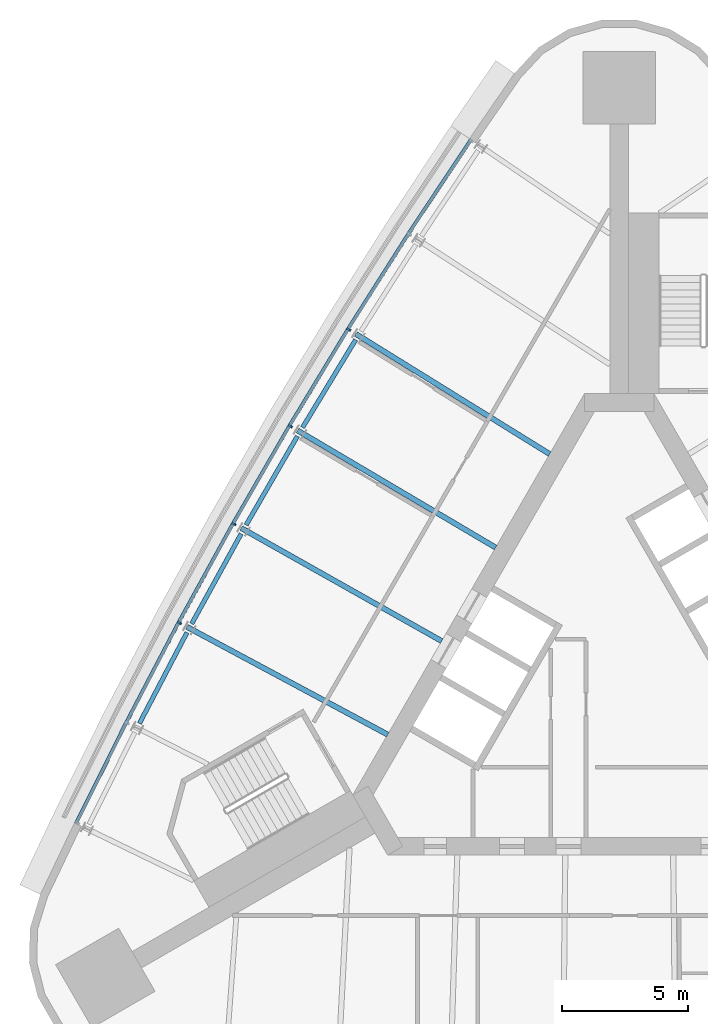
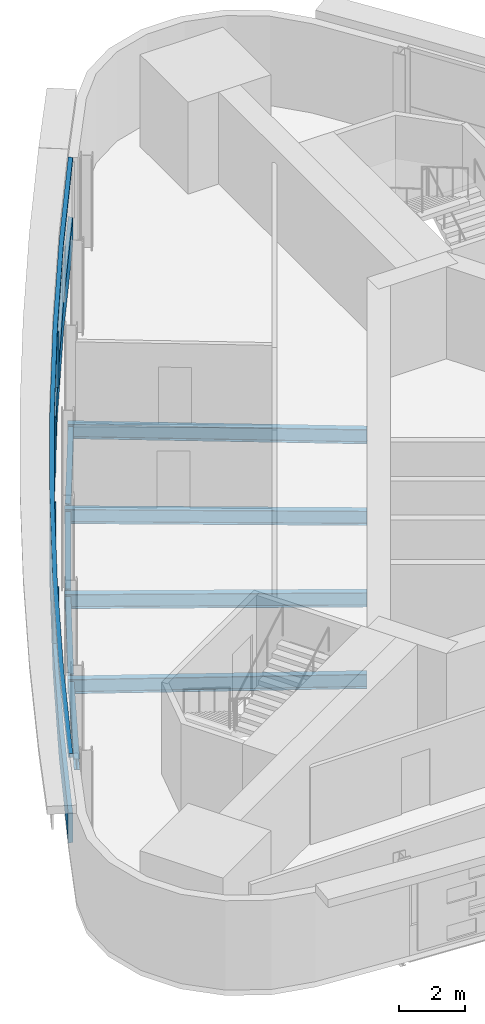
# One storey, part 4 of 12: 8 beams, 6 members, 1 element without a shape of its own.
"""IFC4 building model written with IfcOpenShell, lengths in metres."""

from ifc_helpers import new_model, si_unit, direction, frame, origin, origin_2d, place, context, subcontext, project, spatial, polyline, rectangle, i_section, outline, extrude, material, material_profile, profile_set, type_object, element, aggregate, save


model = new_model("IFC4")

# Units and contexts
model_context = context("Model", 3, precision=1e-05, world=origin(), true_north=direction((0.0, 1.0)))
body_context = subcontext(model_context, "Body", "Model", "MODEL_VIEW")
ifc_project = project(units=[si_unit("LENGTHUNIT", "METRE"), si_unit("AREAUNIT", "SQUARE_METRE"), si_unit("VOLUMEUNIT", "CUBIC_METRE"), si_unit("PLANEANGLEUNIT", "RADIAN"), si_unit("MASSUNIT", "GRAM", prefix="KILO")], contexts=[model_context])

# Site, building, storey
site_placement = place(None, origin())
site = spatial("IfcSite", under=ifc_project, at=site_placement, CompositionType="ELEMENT")
building_placement = place(site_placement, origin())
building = spatial("IfcBuilding", under=site, at=building_placement, Name="Noor Cloister Tower", CompositionType="ELEMENT")
storey_placement = place(building_placement, frame((0.0, 0.0, 154.5)))
storey = spatial("IfcBuildingStorey", under=building, at=storey_placement, Name="L39", CompositionType="ELEMENT", Elevation=154.5)

# Curtain wall, members
ifc_material_1 = material(Name="Aluminium 6063-T6 anodised", Category="aluminium")
curtain_wall_type = type_object("IfcCurtainWallType", Name="Ribbon curtain wall, upper tower CW5", PredefinedType="NOTDEFINED", material=ifc_material_1)
curtain_wall_placement = place(storey_placement, origin())
curtain_wall = element("IfcCurtainWall", 1, at=curtain_wall_placement, inside=storey, type_object=curtain_wall_type, Name="CW5 L39 NW run 1", PredefinedType="NOTDEFINED")
ifc_material_2 = material(Name="Aluminium 6063-T6 anodised", Category="aluminium")
member_type_1 = type_object("IfcMemberType", Name="Head transom CW5 150", PredefinedType="USERDEFINED", material=ifc_material_2)
member_1_placement = place(storey_placement, frame((0.0, 0.0, 3.14990234375)))
member_1 = element("IfcMember", 2, at=member_1_placement, type_object=member_type_1, Name="CW5 head transom", ObjectType="TRANSOM", PredefinedType="USERDEFINED", context=body_context, shape_type="SweptSolid", body=[
    extrude(outline(polyline([(-5.967529296875, 21.615966796875), (-8.455322265625, 17.8662109375), (-10.864990234375, 14.06591796875), (-13.195068359375, 10.21630859375), (-15.445068359375, 6.3193359375), (-17.61376953125, 2.37646484375), (-19.700439453125, -1.610595703125), (-21.703857421875, -5.639892578125), (-21.578369140625, -5.7021484375), (-19.57568359375, -1.674072265625), (-17.490478515625, 2.310302734375), (-15.3232421875, 6.25048828125), (-13.07470703125, 10.14501953125), (-10.745849609375, 13.9921875), (-8.337890625, 17.7900390625), (-5.850830078125, 21.53857421875), (-5.967529296875, 21.615966796875)])), origin(), (0.0, 0.0, 1.0), 0.150146484375),
])
ifc_material_3 = material(Name="Aluminium 6063-T6 anodised", Category="aluminium")
ifc_material_profile_1 = material_profile(ifc_material_3, rectangle(XDim=0.179931640625, YDim=0.070068359375, at=origin_2d()), Name="180 x 70 mullion")
ifc_profile_set_1 = profile_set([ifc_material_profile_1], Name="Aluminium 6063-T6 anodised")
member_type_2 = type_object("IfcMemberType", Name="Mullion CW5 70 x 180", PredefinedType="MULLION", material=ifc_profile_set_1)
member_2_placement = place(storey_placement, frame((-10.780029296875, 14.01318359375, 1.10009765625), z_axis=(0.0, 0.0, 1.0), x_axis=(0.850062776899, -0.526681379328, 0.0)))
member_2 = element("IfcMember", 3, at=member_2_placement, type_object=member_type_2, Name="CW5 mullion 3", PredefinedType="MULLION", context=body_context, shape_type="SweptSolid", body=[
    extrude(rectangle(XDim=0.179931640625, YDim=0.070068359375, at=origin_2d()), origin(), (0.0, 0.0, 1.0), 2.0498046875),
])
member_3_placement = place(storey_placement, frame((-13.109130859375, 10.165283203125, 1.10009765625), z_axis=(0.0, 0.0, 1.0), x_axis=(0.86079680353, -0.508948782327, 0.0)))
member_3 = element("IfcMember", 4, at=member_3_placement, type_object=member_type_2, Name="CW5 mullion 4", PredefinedType="MULLION", context=body_context, shape_type="SweptSolid", body=[
    extrude(rectangle(XDim=0.179931640625, YDim=0.070068359375, at=origin_2d()), origin(), (0.0, 0.0, 1.0), 2.0498046875),
])
member_4_placement = place(storey_placement, frame((-15.35791015625, 6.27001953125, 1.10009765625), z_axis=(0.0, 0.0, 1.0), x_axis=(0.871160976485, -0.49099750819, 0.0)))
member_4 = element("IfcMember", 5, at=member_4_placement, type_object=member_type_2, Name="CW5 mullion 5", PredefinedType="MULLION", context=body_context, shape_type="SweptSolid", body=[
    extrude(rectangle(XDim=0.179931640625, YDim=0.070068359375, at=origin_2d()), origin(), (0.0, 0.0, 1.0), 2.0498046875),
])
member_5_placement = place(storey_placement, frame((-17.525634765625, 2.3291015625, 1.10009765625), z_axis=(0.0, 0.0, 1.0), x_axis=(0.881150842648, -0.472835269942, 0.0)))
member_5 = element("IfcMember", 6, at=member_5_placement, type_object=member_type_2, Name="CW5 mullion 6", PredefinedType="MULLION", context=body_context, shape_type="SweptSolid", body=[
    extrude(rectangle(XDim=0.179931640625, YDim=0.070068359375, at=origin_2d()), origin(), (0.0, 0.0, 1.0), 2.0498046875),
])

# Beams
ifc_material_4 = material(Name="Steel ASTM A992 Gr 50", Category="steel")
ifc_material_profile_2 = material_profile(ifc_material_4, i_section(OverallWidth=0.208984375, OverallDepth=0.532958984375, WebThickness=0.01025390625, FlangeThickness=0.015625, FilletRadius=0.0126953125, at=origin_2d()), Name="W530x92")
ifc_profile_set_2 = profile_set([ifc_material_profile_2], Name="Steel ASTM A992 Gr 50")
beam_type_1 = type_object("IfcBeamType", Name="Radial beam W530x92", PredefinedType="BEAM", material=ifc_profile_set_2)
beam_1_placement = place(storey_placement, frame((-10.48828125, 13.83251953125, -0.466552734375), z_axis=(0.850059269974, -0.526687039456, 0.0), x_axis=(0.526687039456, 0.850059269974, 0.0)))
element("IfcBeam", 7, at=beam_1_placement, inside=storey, type_object=beam_type_1, Name="Radial beam NW 03 L39", PredefinedType="BEAM", context=body_context, shape_type="SweptSolid", body=[
    extrude(i_section(OverallWidth=0.208984375, OverallDepth=0.532958984375, WebThickness=0.01025390625, FlangeThickness=0.015625, FilletRadius=0.0126953125, at=origin_2d()), origin(), (0.0, 0.0, 1.0), 9.07568359375),
])
beam_2_placement = place(storey_placement, frame((-12.81396484375, 9.99072265625, -0.466552734375), z_axis=(0.860805589121, -0.508933922763, 0.0), x_axis=(0.508933922763, 0.860805589121, 0.0)))
element("IfcBeam", 8, at=beam_2_placement, inside=storey, type_object=beam_type_1, Name="Radial beam NW 04 L39", PredefinedType="BEAM", context=body_context, shape_type="SweptSolid", body=[
    extrude(i_section(OverallWidth=0.208984375, OverallDepth=0.532958984375, WebThickness=0.01025390625, FlangeThickness=0.015625, FilletRadius=0.0126953125, at=origin_2d()), origin(), (0.0, 0.0, 1.0), 9.164794921875),
])
beam_3_placement = place(storey_placement, frame((-15.059326171875, 6.101806640625, -0.466552734375), z_axis=(0.871159045846, -0.491000933646, 0.0), x_axis=(0.491000933646, 0.871159045846, 0.0)))
element("IfcBeam", 9, at=beam_3_placement, inside=storey, type_object=beam_type_1, Name="Radial beam NW 05 L39", PredefinedType="BEAM", context=body_context, shape_type="SweptSolid", body=[
    extrude(i_section(OverallWidth=0.208984375, OverallDepth=0.532958984375, WebThickness=0.01025390625, FlangeThickness=0.015625, FilletRadius=0.0126953125, at=origin_2d()), origin(), (0.0, 0.0, 1.0), 9.1650390625),
])
beam_4_placement = place(storey_placement, frame((-17.223388671875, 2.1669921875, -0.466552734375), z_axis=(0.881147419795, -0.472841648534, 0.0), x_axis=(0.472841648534, 0.881147419795, 0.0)))
element("IfcBeam", 10, at=beam_4_placement, inside=storey, type_object=beam_type_1, Name="Radial beam NW 06 L39", PredefinedType="BEAM", context=body_context, shape_type="SweptSolid", body=[
    extrude(i_section(OverallWidth=0.208984375, OverallDepth=0.532958984375, WebThickness=0.01025390625, FlangeThickness=0.015625, FilletRadius=0.0126953125, at=origin_2d()), origin(), (0.0, 0.0, 1.0), 9.075439453125),
])

# Member
ifc_material_5 = material(Name="Aluminium 6063-T6 anodised", Category="aluminium")
member_type_3 = type_object("IfcMemberType", Name="Sill transom CW5 1100", PredefinedType="USERDEFINED", material=ifc_material_5)
member_6_placement = place(storey_placement, origin())
member_6 = element("IfcMember", 11, at=member_6_placement, type_object=member_type_3, Name="CW5 sill transom", ObjectType="TRANSOM", PredefinedType="USERDEFINED", context=body_context, shape_type="SweptSolid", body=[
    extrude(outline(polyline([(-5.967529296875, 21.615966796875), (-8.455322265625, 17.8662109375), (-10.864990234375, 14.06591796875), (-13.195068359375, 10.21630859375), (-15.445068359375, 6.3193359375), (-17.61376953125, 2.37646484375), (-19.700439453125, -1.610595703125), (-21.703857421875, -5.639892578125), (-21.578369140625, -5.7021484375), (-19.57568359375, -1.674072265625), (-17.490478515625, 2.310302734375), (-15.3232421875, 6.25048828125), (-13.07470703125, 10.14501953125), (-10.745849609375, 13.9921875), (-8.337890625, 17.7900390625), (-5.850830078125, 21.53857421875), (-5.967529296875, 21.615966796875)])), origin(), (0.0, 0.0, 1.0), 1.10009765625),
])

aggregate(curtain_wall, [member_2, member_3, member_4, member_5, member_6, member_1])

# Beams
ifc_material_6 = material(Name="Steel ASTM A992 Gr 50", Category="steel")
ifc_material_profile_3 = material_profile(ifc_material_6, i_section(OverallWidth=0.177978515625, OverallDepth=0.406005859375, WebThickness=0.0078125, FlangeThickness=0.0126953125, FilletRadius=0.01025390625, at=origin_2d()), Name="W410x60")
ifc_profile_set_3 = profile_set([ifc_material_profile_3], Name="Steel ASTM A992 Gr 50")
beam_type_2 = type_object("IfcBeamType", Name="Spandrel beam W410x60", PredefinedType="SPANDREL", material=ifc_profile_set_3)
for number, where, z_axis, x_axis, name in (
    (12, (-10.500732421875, 13.60546875, -0.403076171875), (-0.517827974797, -0.855484768139, 0.0), (0.855484768139, -0.517827974797, 0.0), "Spandrel beam NW 03 L39"),
    (13, (-12.821533203125, 9.763671875, -0.403076171875), (-0.49997222419, -0.866041439562, 0.0), (0.866041439562, -0.49997222419, 0.0), "Spandrel beam NW 04 L39"),
):
    element("IfcBeam", number, at=place(storey_placement, frame(where, z_axis=z_axis, x_axis=x_axis)), inside=storey, type_object=beam_type_2, Name=name, PredefinedType="SPANDREL", context=body_context, shape_type="SweptSolid", body=[
        extrude(i_section(OverallWidth=0.177978515625, OverallDepth=0.406005859375, WebThickness=0.0078125, FlangeThickness=0.0126953125, FilletRadius=0.01025390625, at=origin_2d()), origin(), (0.0, 0.0, 1.0), 4.089599609375),
    ])
beam_5_placement = place(storey_placement, frame((-15.062255859375, 5.874267578125, -0.403076171875), z_axis=(-0.481902707322, -0.876224731833, 0.0), x_axis=(0.876224731833, -0.481902707322, 0.0)))
element("IfcBeam", 14, at=beam_5_placement, inside=storey, type_object=beam_type_2, Name="Spandrel beam NW 05 L39", PredefinedType="SPANDREL", context=body_context, shape_type="SweptSolid", body=[
    extrude(i_section(OverallWidth=0.177978515625, OverallDepth=0.406005859375, WebThickness=0.0078125, FlangeThickness=0.0126953125, FilletRadius=0.01025390625, at=origin_2d()), origin(), (0.0, 0.0, 1.0), 4.08935546875),
])
beam_6_placement = place(storey_placement, frame((-17.2216796875, 1.939453125, -0.403076171875), z_axis=(-0.463685734308, -0.885999740293, 0.0), x_axis=(0.885999740293, -0.463685734308, 0.0)))
element("IfcBeam", 15, at=beam_6_placement, inside=storey, type_object=beam_type_2, Name="Spandrel beam NW 06 L39", PredefinedType="SPANDREL", context=body_context, shape_type="SweptSolid", body=[
    extrude(i_section(OverallWidth=0.177978515625, OverallDepth=0.406005859375, WebThickness=0.0078125, FlangeThickness=0.0126953125, FilletRadius=0.01025390625, at=origin_2d()), origin(), (0.0, 0.0, 1.0), 4.089599609375),
])

save(model, "model.ifc")
